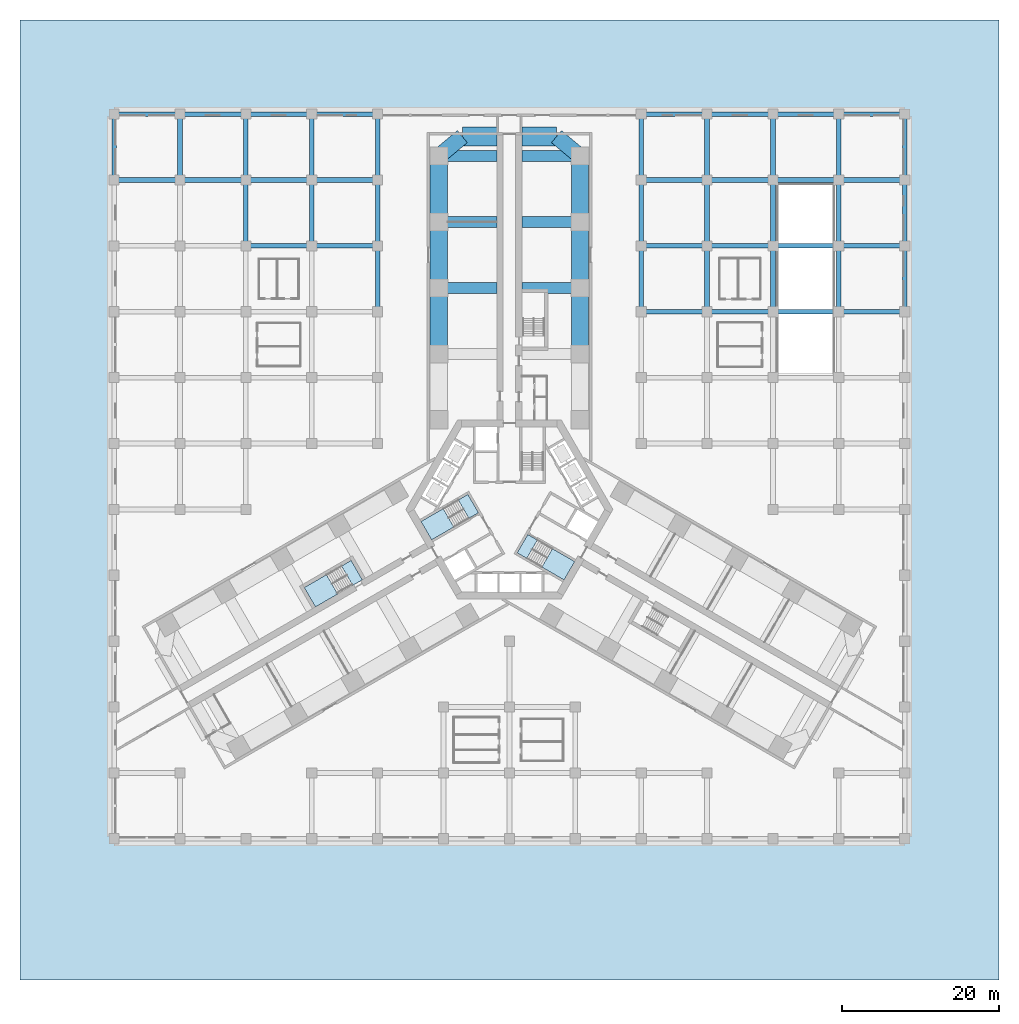
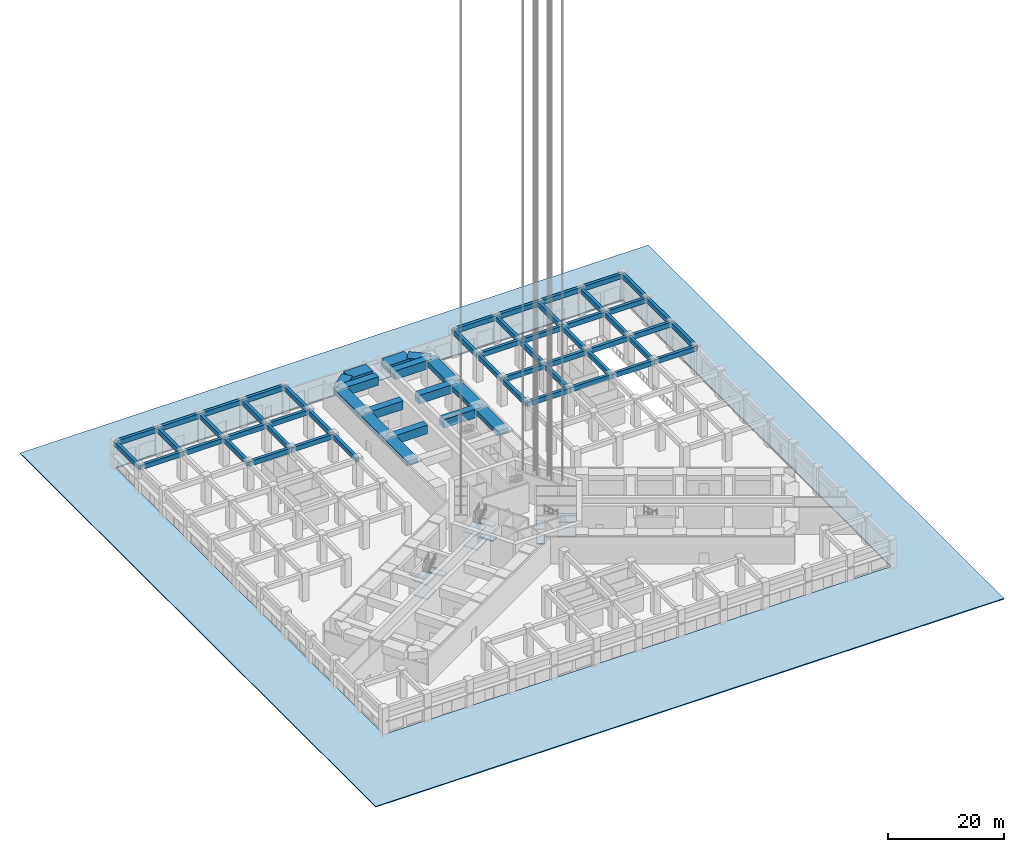
# One storey, part 3 of 33: 66 beams, 12 slabs, 3 elements without a shape of their own.
"""IFC4 building model written with IfcOpenShell, lengths in metres."""

import ifcopenshell
import ifcopenshell.guid

model = None  # the IFC model being written
_history = None  # IfcOwnerHistory: only IFC2X3 demands one
_inside = {}  # id of a spatial element -> (the spatial element, [elements in it])
_under = {}  # id of a project, library or spatial element -> (it, [spatial elements below it])
_declared = {}  # id of a project -> (the project, [libraries it declares])
_typed = {}  # id of a type object -> (the type object, [elements of that type])
_made_of = {}  # id of a material, layer set ... -> (it, [elements and type objects made of it])


def new_model(schema):
    """Start an empty IFC model of exactly this schema.

    Asked for "IFC4X3", IfcOpenShell would pick the latest addendum, in which some entities
    have other attributes; the version numbers below select the first issue.
    IFC2X3 requires an IfcOwnerHistory on every rooted entity: one is made here for all.
    """
    global model, _history
    if schema == "IFC4X3":
        model = ifcopenshell.file(schema_version=(4, 3, 0, 0))
    else:
        model = ifcopenshell.file(schema=schema)
    _inside.clear()
    _under.clear()
    _declared.clear()
    _typed.clear()
    _made_of.clear()
    _history = None
    if model.schema == "IFC2X3":
        org = make("IfcOrganization", Name="unknown")
        user = make(
            "IfcPersonAndOrganization",
            ThePerson=make("IfcPerson", FamilyName="unknown"),
            TheOrganization=org,
        )
        app = make(
            "IfcApplication",
            ApplicationDeveloper=org,
            Version="unknown",
            ApplicationFullName="unknown",
            ApplicationIdentifier="unknown",
        )
        _history = make(
            "IfcOwnerHistory",
            OwningUser=user,
            OwningApplication=app,
            ChangeAction="ADDED",
            CreationDate=0,
        )
    return model


def make(cls, **values):
    """One entity of the class cls with the attributes given. An attribute that is None is left unset."""
    return model.create_entity(
        cls, **{name: value for name, value in values.items() if value is not None}
    )


def rooted(cls, **values):
    """An entity with a GlobalId (a new one), such as an element, a storey or a relation."""
    return make(cls, GlobalId=ifcopenshell.guid.new(), OwnerHistory=_history, **values)


def si_unit(unit_type, name, prefix=None):
    """IfcSIUnit, for example si_unit("LENGTHUNIT", "METRE", prefix="MILLI")."""
    return make("IfcSIUnit", UnitType=unit_type, Prefix=prefix, Name=name)


def assignment(units):
    """IfcUnitAssignment: the units of a project."""
    return None if units is None else make("IfcUnitAssignment", Units=units)


def point(xyz):
    """IfcCartesianPoint."""
    return None if xyz is None else make("IfcCartesianPoint", Coordinates=xyz)


def direction(xyz):
    """IfcDirection."""
    return None if xyz is None else make("IfcDirection", DirectionRatios=xyz)


def frame(location, z_axis=None, x_axis=None):
    """IfcAxis2Placement3D, a coordinate frame: its origin and axes. An axis left out is left unset."""
    return make(
        "IfcAxis2Placement3D",
        Location=point(location),
        Axis=direction(z_axis),
        RefDirection=direction(x_axis),
    )


def frame_2d(location, x_axis=None):
    """IfcAxis2Placement2D, a coordinate frame in the plane: its origin and x axis."""
    return make(
        "IfcAxis2Placement2D", Location=point(location), RefDirection=direction(x_axis)
    )


def origin():
    """The frame at (0, 0, 0) with its axes left unset."""
    return frame((0.0, 0.0, 0.0))


def origin_2d():
    """The frame at (0, 0) in the plane with its x axis left unset."""
    return frame_2d((0.0, 0.0))


def place(relative_to, where):
    """IfcLocalPlacement: puts the frame where relative to a parent placement (None: the world)."""
    return make(
        "IfcLocalPlacement", PlacementRelTo=relative_to, RelativePlacement=where
    )


def context(
    kind, dimensions, precision=None, world=None, true_north=None, identifier=None
):
    """IfcGeometricRepresentationContext, for example the 3D "Model" context."""
    return make(
        "IfcGeometricRepresentationContext",
        ContextIdentifier=identifier,
        ContextType=kind,
        CoordinateSpaceDimension=dimensions,
        Precision=precision,
        WorldCoordinateSystem=world,
        TrueNorth=true_north,
    )


def subcontext(parent, identifier, kind, view, scale=None):
    """IfcGeometricRepresentationSubContext, for example "Body" below "Model"."""
    return make(
        "IfcGeometricRepresentationSubContext",
        ContextIdentifier=identifier,
        ContextType=kind,
        ParentContext=parent,
        TargetScale=scale,
        TargetView=view,
    )


def project(units=None, contexts=None):
    """IfcProject with its units and contexts."""
    return rooted(
        "IfcProject",
        Name="project",
        RepresentationContexts=contexts,
        UnitsInContext=assignment(units),
    )


def spatial(cls, under=None, at=None, **own):
    """A site, building, storey or space (cls), placed at a placement, below another one or the project."""
    s = rooted(cls, ObjectPlacement=at, **own)
    if under is not None:
        _under.setdefault(under.id(), (under, []))[1].append(s)
    return s


def polyline(points):
    """IfcPolyline through the points."""
    return make("IfcPolyline", Points=[point(p) for p in points])


def profile(cls, at=None, kind="AREA", **sizes):
    """A parametric profile (cls). Its sizes go by their IFC names, for example OverallWidth=200.0."""
    return make(cls, ProfileType=kind, Position=at, **sizes)


def rectangle(**sizes):
    """IfcRectangleProfileDef."""
    return profile("IfcRectangleProfileDef", **sizes)


def outline(outer, holes=None, kind="AREA"):
    """IfcArbitraryClosedProfileDef: a profile drawn as a closed curve; with holes, ...WithVoids."""
    if holes is None:
        return make("IfcArbitraryClosedProfileDef", ProfileType=kind, OuterCurve=outer)
    return make(
        "IfcArbitraryProfileDefWithVoids",
        ProfileType=kind,
        OuterCurve=outer,
        InnerCurves=holes,
    )


def extrude(swept, where, along, depth):
    """IfcExtrudedAreaSolid: the profile swept, set in the frame where, extruded along a direction by depth."""
    return make(
        "IfcExtrudedAreaSolid",
        SweptArea=swept,
        Position=where,
        ExtrudedDirection=direction(along),
        Depth=depth,
    )


def shape(context_of_items, identifier, shape_type, items):
    """IfcShapeRepresentation: the items that make up one representation, for example the "Body"."""
    return make(
        "IfcShapeRepresentation",
        ContextOfItems=context_of_items,
        RepresentationIdentifier=identifier,
        RepresentationType=shape_type,
        Items=items,
    )


def material(Name=None, Category=None):
    """IfcMaterial."""
    return make("IfcMaterial", Name=Name, Category=Category)


def layer(
    of_material, thickness, ventilated=None, Name=None, Category=None, Priority=None
):
    """IfcMaterialLayer: one layer of a wall or slab, of a material (None: an air gap)."""
    return make(
        "IfcMaterialLayer",
        Material=of_material,
        LayerThickness=thickness,
        IsVentilated=ventilated,
        Name=Name,
        Category=Category,
        Priority=Priority,
    )


def layer_set(layers, Name=None):
    """IfcMaterialLayerSet."""
    return make("IfcMaterialLayerSet", MaterialLayers=layers, LayerSetName=Name)


def material_profile(
    of_material, cross_section, Name=None, Category=None, Priority=None
):
    """IfcMaterialProfile: a cross section and its material."""
    return make(
        "IfcMaterialProfile",
        Name=Name,
        Material=of_material,
        Profile=cross_section,
        Priority=Priority,
        Category=Category,
    )


def profile_set(profiles, Name=None, composite=None):
    """IfcMaterialProfileSet."""
    return make(
        "IfcMaterialProfileSet",
        Name=Name,
        MaterialProfiles=profiles,
        CompositeProfile=composite,
    )


def made_of(thing, what):
    """Note that an element or type object is made of a material, layer set ...; save() writes the relation."""
    if what is not None:
        _made_of.setdefault(what.id(), (what, []))[1].append(thing)
    return thing


def type_object(cls, material=None, **own):
    """A type object (cls), such as IfcWallType, which elements share."""
    return made_of(rooted(cls, **own), material)


def element(
    cls,
    number,
    at=None,
    inside=None,
    cuts=None,
    type_object=None,
    material=None,
    context=None,
    identifier="Body",
    shape_type=None,
    held_by="IfcProductDefinitionShape",
    body=None,
    shapes=None,
    **own,
):
    """One element of the class cls, such as IfcWall. Its Tag is "e" and its number.

    at: its placement. inside: the storey or other place that contains it. cuts: it is an
    opening in that element (IfcRelVoidsElement). A single representation is given by context,
    identifier, shape_type and body (its items); several are given by shapes. held_by: the class
    of the entity that holds the representations. save() writes the other relations.
    """
    e = rooted(cls, Tag="e%d" % number, ObjectPlacement=at, **own)
    if body is not None:
        shapes = [shape(context, identifier, shape_type, body)]
    if shapes is not None:
        e.Representation = make(held_by, Representations=shapes)
    if inside is not None:
        _inside.setdefault(inside.id(), (inside, []))[1].append(e)
    if cuts is not None:
        rooted(
            "IfcRelVoidsElement", RelatingBuildingElement=cuts, RelatedOpeningElement=e
        )
    if type_object is not None:
        _typed.setdefault(type_object.id(), (type_object, []))[1].append(e)
    return made_of(e, material)


def aggregate(whole, parts):
    """IfcRelAggregates: a whole, such as a stair, and the parts it consists of."""
    return rooted("IfcRelAggregates", RelatingObject=whole, RelatedObjects=parts)


def save(model, path):
    """Write the relations noted so far, then the file.

    IfcRelAggregates (storeys below a building ...), IfcRelContainedInSpatialStructure (elements
    in a storey), IfcRelDefinesByType, IfcRelAssociatesMaterial and IfcRelDeclares: one each for
    every whole, place, type object, material and project.
    """
    for whole, parts in _under.values():
        aggregate(whole, parts)
    for where, things in _inside.values():
        rooted(
            "IfcRelContainedInSpatialStructure",
            RelatedElements=things,
            RelatingStructure=where,
        )
    for kind, things in _typed.values():
        rooted("IfcRelDefinesByType", RelatedObjects=things, RelatingType=kind)
    for what, things in _made_of.values():
        rooted("IfcRelAssociatesMaterial", RelatedObjects=things, RelatingMaterial=what)
    for by, libraries in _declared.values():
        rooted("IfcRelDeclares", RelatingContext=by, RelatedDefinitions=libraries)
    model.write(path)


model = new_model("IFC4")

# Units and contexts
model_context = context("Model", 3, precision=1e-05, world=origin(), true_north=direction((0.0, 1.0)))
body_context = subcontext(model_context, "Body", "Model", "MODEL_VIEW")
ifc_project = project(units=[si_unit("LENGTHUNIT", "METRE"), si_unit("AREAUNIT", "SQUARE_METRE"), si_unit("VOLUMEUNIT", "CUBIC_METRE"), si_unit("PLANEANGLEUNIT", "RADIAN"), si_unit("MASSUNIT", "GRAM", prefix="KILO")], contexts=[model_context])

# Site, building, storey
site_placement = place(None, origin())
site = spatial("IfcSite", under=ifc_project, at=site_placement, CompositionType="ELEMENT")
building_placement = place(site_placement, origin())
building = spatial("IfcBuilding", under=site, at=building_placement, Name="Impinga Residences", CompositionType="ELEMENT")
storey_placement = place(building_placement, origin())
storey = spatial("IfcBuildingStorey", under=building, at=storey_placement, Name="L00", CompositionType="ELEMENT", Elevation=0.0)

# Beams
ifc_material_1 = material(Name="Concrete C60/75", Category="concrete")
ifc_material_profile_1 = material_profile(ifc_material_1, rectangle(XDim=2.0, YDim=1.60009765625, at=origin_2d()), Name="RC 2000x1600")
ifc_profile_set_1 = profile_set([ifc_material_profile_1], Name="Concrete C60/75")
beam_type_1 = type_object("IfcBeamType", Name="CB2 2000x1600 wing end cantilever beam", PredefinedType="BEAM", material=ifc_profile_set_1)
for number, where, z_axis, x_axis, name in (
    (1, (-9.0, 45.031494140625, 4.89990234375), (0.768221279597, 0.640184399664, 0.0), (-0.640184399664, 0.768221279597, 0.0), "Beam CB2 NB N5-NX level L01"),
    (2, (9.0, 45.031494140625, 4.89990234375), (-0.768221279597, 0.640184399664, 0.0), (-0.640184399664, -0.768221279597, 0.0), "Beam CB2 NE N5-NX level L01"),
):
    element("IfcBeam", number, at=place(storey_placement, frame(where, z_axis=z_axis, x_axis=x_axis)), inside=storey, type_object=beam_type_1, Name=name, PredefinedType="BEAM", context=body_context, shape_type="SweptSolid", body=[
        extrude(rectangle(XDim=2.0, YDim=1.60009765625, at=origin_2d()), origin(), (0.0, 0.0, 1.0), 3.905029296875),
    ])
ifc_material_profile_2 = material_profile(ifc_material_1, rectangle(XDim=1.39990234375, YDim=1.800048828125, at=origin_2d()), Name="RC 1400x1800")
ifc_profile_set_2 = profile_set([ifc_material_profile_2], Name="Concrete C60/75")
beam_type_2 = type_object("IfcBeamType", Name="CG4 1400x1800 cross girder on a wing bay line under the podium floors", PredefinedType="BEAM", material=ifc_profile_set_2)
for number, where, z_axis, x_axis, name in (
    (3, (-1.60009765625, 28.2314453125, 4.800048828125), (-1.0, 0.0, 0.0), (0.0, -1.0, 0.0), "Beam CG4 N3 NC/NA level L01"),
    (4, (-1.60009765625, 36.631591796875, 4.800048828125), (-1.0, 0.0, 0.0), (0.0, -1.0, 0.0), "Beam CG4 N4 NC/NA level L01"),
    (5, (-1.60009765625, 45.031494140625, 4.800048828125), (-1.0, 0.0, 0.0), (0.0, -1.0, 0.0), "Beam CG4 N5 NC/NA level L01"),
    (6, (1.60009765625, 28.2314453125, 4.800048828125), (1.0, 0.0, 0.0), (0.0, 1.0, 0.0), "Beam CG4 N3 NC/NF level L01"),
    (7, (1.60009765625, 36.631591796875, 4.800048828125), (1.0, 0.0, 0.0), (0.0, 1.0, 0.0), "Beam CG4 N4 NC/NF level L01"),
    (8, (1.60009765625, 45.031494140625, 4.800048828125), (1.0, 0.0, 0.0), (0.0, 1.0, 0.0), "Beam CG4 N5 NC/NF level L01"),
):
    element("IfcBeam", number, at=place(storey_placement, frame(where, z_axis=z_axis, x_axis=x_axis)), inside=storey, type_object=beam_type_2, Name=name, PredefinedType="BEAM", context=body_context, shape_type="SweptSolid", body=[
        extrude(rectangle(XDim=1.39990234375, YDim=1.800048828125, at=origin_2d()), origin(), (0.0, 0.0, 1.0), 7.39990234375),
    ])
ifc_material_profile_3 = material_profile(ifc_material_1, rectangle(XDim=2.39990234375, YDim=1.60009765625, at=origin_2d()), Name="RC 2400x1600")
ifc_profile_set_3 = profile_set([ifc_material_profile_3], Name="Concrete C60/75")
beam_type_3 = type_object("IfcBeamType", Name="EB2 2400x1600 wing end beam", PredefinedType="BEAM", material=ifc_profile_set_3)
for number, where, z_axis, x_axis, name in (
    (9, (-6.0, 47.531494140625, 4.89990234375), (1.0, 0.0, 0.0), (0.0, 1.0, 0.0), "Beam EB2 NX4 level L01"),
    (10, (1.60009765625, 47.531494140625, 4.89990234375), (1.0, 0.0, 0.0), (0.0, 1.0, 0.0), "Beam EB2 NX4 level L01"),
):
    element("IfcBeam", number, at=place(storey_placement, frame(where, z_axis=z_axis, x_axis=x_axis)), inside=storey, type_object=beam_type_3, Name=name, PredefinedType="BEAM", context=body_context, shape_type="SweptSolid", body=[
        extrude(rectangle(XDim=2.39990234375, YDim=1.60009765625, at=origin_2d()), origin(), (0.0, 0.0, 1.0), 4.39990234375),
    ])
ifc_material_profile_4 = material_profile(ifc_material_1, rectangle(XDim=0.60009765625, YDim=1.0, at=origin_2d()), Name="RC 600x1000")
ifc_profile_set_4 = profile_set([ifc_material_profile_4], Name="Concrete C60/75")
beam_type_4 = type_object("IfcBeamType", Name="PB2 600x1000 podium beam", PredefinedType="BEAM", material=ifc_profile_set_4)
beam_1_placement = place(storey_placement, frame((16.800048828125, 25.199951171875, 5.199951171875), z_axis=(1.0, 0.0, 0.0), x_axis=(0.0, 1.0, 0.0)))
element("IfcBeam", 11, at=beam_1_placement, inside=storey, type_object=beam_type_4, Name="Beam PB2 J/9-10 level L01", PredefinedType="BEAM", context=body_context, shape_type="SweptSolid", body=[
    extrude(rectangle(XDim=0.60009765625, YDim=1.0, at=origin_2d()), origin(), (0.0, 0.0, 1.0), 8.39990234375),
])
beam_2_placement = place(storey_placement, frame((25.199951171875, 25.199951171875, 5.199951171875), z_axis=(1.0, 0.0, 0.0), x_axis=(0.0, 1.0, 0.0)))
element("IfcBeam", 12, at=beam_2_placement, inside=storey, type_object=beam_type_4, Name="Beam PB2 J/10-11 level L01", PredefinedType="BEAM", context=body_context, shape_type="SweptSolid", body=[
    extrude(rectangle(XDim=0.60009765625, YDim=1.0, at=origin_2d()), origin(), (0.0, 0.0, 1.0), 8.400146484375),
])
for number, where, z_axis, x_axis, name in (
    (13, (33.60009765625, 25.199951171875, 5.199951171875), (1.0, 0.0, 0.0), (0.0, 1.0, 0.0), "Beam PB2 J/11-12 level L01"),
    (14, (42.0, 25.199951171875, 5.199951171875), (1.0, 0.0, 0.0), (0.0, 1.0, 0.0), "Beam PB2 J/12-13 level L01"),
):
    element("IfcBeam", number, at=place(storey_placement, frame(where, z_axis=z_axis, x_axis=x_axis)), inside=storey, type_object=beam_type_4, Name=name, PredefinedType="BEAM", context=body_context, shape_type="SweptSolid", body=[
        extrude(rectangle(XDim=0.60009765625, YDim=1.0, at=origin_2d()), origin(), (0.0, 0.0, 1.0), 8.39990234375),
    ])
beam_3_placement = place(storey_placement, frame((-33.60009765625, 33.60009765625, 5.199951171875), z_axis=(1.0, 0.0, 0.0), x_axis=(0.0, 1.0, 0.0)))
element("IfcBeam", 15, at=beam_3_placement, inside=storey, type_object=beam_type_4, Name="Beam PB2 K/3-4 level L01", PredefinedType="BEAM", context=body_context, shape_type="SweptSolid", body=[
    extrude(rectangle(XDim=0.60009765625, YDim=1.0, at=origin_2d()), origin(), (0.0, 0.0, 1.0), 8.400146484375),
])
for number, where, z_axis, x_axis, name in (
    (16, (-25.199951171875, 33.60009765625, 5.199951171875), (1.0, 0.0, 0.0), (0.0, 1.0, 0.0), "Beam PB2 K/4-5 level L01"),
    (17, (16.800048828125, 33.60009765625, 5.199951171875), (1.0, 0.0, 0.0), (0.0, 1.0, 0.0), "Beam PB2 K/9-10 level L01"),
):
    element("IfcBeam", number, at=place(storey_placement, frame(where, z_axis=z_axis, x_axis=x_axis)), inside=storey, type_object=beam_type_4, Name=name, PredefinedType="BEAM", context=body_context, shape_type="SweptSolid", body=[
        extrude(rectangle(XDim=0.60009765625, YDim=1.0, at=origin_2d()), origin(), (0.0, 0.0, 1.0), 8.39990234375),
    ])
beam_4_placement = place(storey_placement, frame((25.199951171875, 33.60009765625, 5.199951171875), z_axis=(1.0, 0.0, 0.0), x_axis=(0.0, 1.0, 0.0)))
element("IfcBeam", 18, at=beam_4_placement, inside=storey, type_object=beam_type_4, Name="Beam PB2 K/10-11 level L01", PredefinedType="BEAM", context=body_context, shape_type="SweptSolid", body=[
    extrude(rectangle(XDim=0.60009765625, YDim=1.0, at=origin_2d()), origin(), (0.0, 0.0, 1.0), 8.400146484375),
])
for number, where, z_axis, x_axis, name in (
    (19, (33.60009765625, 33.60009765625, 5.199951171875), (1.0, 0.0, 0.0), (0.0, 1.0, 0.0), "Beam PB2 K/11-12 level L01"),
    (20, (42.0, 33.60009765625, 5.199951171875), (1.0, 0.0, 0.0), (0.0, 1.0, 0.0), "Beam PB2 K/12-13 level L01"),
    (21, (-50.39990234375, 42.0, 5.199951171875), (1.0, 0.0, 0.0), (0.0, 1.0, 0.0), "Beam PB2 L/1-2 level L01"),
    (22, (-42.0, 42.0, 5.199951171875), (1.0, 0.0, 0.0), (0.0, 1.0, 0.0), "Beam PB2 L/2-3 level L01"),
):
    element("IfcBeam", number, at=place(storey_placement, frame(where, z_axis=z_axis, x_axis=x_axis)), inside=storey, type_object=beam_type_4, Name=name, PredefinedType="BEAM", context=body_context, shape_type="SweptSolid", body=[
        extrude(rectangle(XDim=0.60009765625, YDim=1.0, at=origin_2d()), origin(), (0.0, 0.0, 1.0), 8.39990234375),
    ])
beam_5_placement = place(storey_placement, frame((-33.60009765625, 42.0, 5.199951171875), z_axis=(1.0, 0.0, 0.0), x_axis=(0.0, 1.0, 0.0)))
element("IfcBeam", 23, at=beam_5_placement, inside=storey, type_object=beam_type_4, Name="Beam PB2 L/3-4 level L01", PredefinedType="BEAM", context=body_context, shape_type="SweptSolid", body=[
    extrude(rectangle(XDim=0.60009765625, YDim=1.0, at=origin_2d()), origin(), (0.0, 0.0, 1.0), 8.400146484375),
])
for number, where, z_axis, x_axis, name in (
    (24, (-25.199951171875, 42.0, 5.199951171875), (1.0, 0.0, 0.0), (0.0, 1.0, 0.0), "Beam PB2 L/4-5 level L01"),
    (25, (16.800048828125, 42.0, 5.199951171875), (1.0, 0.0, 0.0), (0.0, 1.0, 0.0), "Beam PB2 L/9-10 level L01"),
):
    element("IfcBeam", number, at=place(storey_placement, frame(where, z_axis=z_axis, x_axis=x_axis)), inside=storey, type_object=beam_type_4, Name=name, PredefinedType="BEAM", context=body_context, shape_type="SweptSolid", body=[
        extrude(rectangle(XDim=0.60009765625, YDim=1.0, at=origin_2d()), origin(), (0.0, 0.0, 1.0), 8.39990234375),
    ])
beam_6_placement = place(storey_placement, frame((25.199951171875, 42.0, 5.199951171875), z_axis=(1.0, 0.0, 0.0), x_axis=(0.0, 1.0, 0.0)))
element("IfcBeam", 26, at=beam_6_placement, inside=storey, type_object=beam_type_4, Name="Beam PB2 L/10-11 level L01", PredefinedType="BEAM", context=body_context, shape_type="SweptSolid", body=[
    extrude(rectangle(XDim=0.60009765625, YDim=1.0, at=origin_2d()), origin(), (0.0, 0.0, 1.0), 8.400146484375),
])
for number, where, z_axis, x_axis, name in (
    (27, (33.60009765625, 42.0, 5.199951171875), (1.0, 0.0, 0.0), (0.0, 1.0, 0.0), "Beam PB2 L/11-12 level L01"),
    (28, (42.0, 42.0, 5.199951171875), (1.0, 0.0, 0.0), (0.0, 1.0, 0.0), "Beam PB2 L/12-13 level L01"),
    (29, (-50.39990234375, 50.39990234375, 5.199951171875), (1.0, 0.0, 0.0), (0.0, 1.0, 0.0), "Beam PB2 M/1-2 level L01"),
    (30, (-42.0, 50.39990234375, 5.199951171875), (1.0, 0.0, 0.0), (0.0, 1.0, 0.0), "Beam PB2 M/2-3 level L01"),
):
    element("IfcBeam", number, at=place(storey_placement, frame(where, z_axis=z_axis, x_axis=x_axis)), inside=storey, type_object=beam_type_4, Name=name, PredefinedType="BEAM", context=body_context, shape_type="SweptSolid", body=[
        extrude(rectangle(XDim=0.60009765625, YDim=1.0, at=origin_2d()), origin(), (0.0, 0.0, 1.0), 8.39990234375),
    ])
beam_7_placement = place(storey_placement, frame((-33.60009765625, 50.39990234375, 5.199951171875), z_axis=(1.0, 0.0, 0.0), x_axis=(0.0, 1.0, 0.0)))
element("IfcBeam", 31, at=beam_7_placement, inside=storey, type_object=beam_type_4, Name="Beam PB2 M/3-4 level L01", PredefinedType="BEAM", context=body_context, shape_type="SweptSolid", body=[
    extrude(rectangle(XDim=0.60009765625, YDim=1.0, at=origin_2d()), origin(), (0.0, 0.0, 1.0), 8.400146484375),
])
for number, where, z_axis, x_axis, name in (
    (32, (-25.199951171875, 50.39990234375, 5.199951171875), (1.0, 0.0, 0.0), (0.0, 1.0, 0.0), "Beam PB2 M/4-5 level L01"),
    (33, (16.800048828125, 50.39990234375, 5.199951171875), (1.0, 0.0, 0.0), (0.0, 1.0, 0.0), "Beam PB2 M/9-10 level L01"),
):
    element("IfcBeam", number, at=place(storey_placement, frame(where, z_axis=z_axis, x_axis=x_axis)), inside=storey, type_object=beam_type_4, Name=name, PredefinedType="BEAM", context=body_context, shape_type="SweptSolid", body=[
        extrude(rectangle(XDim=0.60009765625, YDim=1.0, at=origin_2d()), origin(), (0.0, 0.0, 1.0), 8.39990234375),
    ])
beam_8_placement = place(storey_placement, frame((25.199951171875, 50.39990234375, 5.199951171875), z_axis=(1.0, 0.0, 0.0), x_axis=(0.0, 1.0, 0.0)))
element("IfcBeam", 34, at=beam_8_placement, inside=storey, type_object=beam_type_4, Name="Beam PB2 M/10-11 level L01", PredefinedType="BEAM", context=body_context, shape_type="SweptSolid", body=[
    extrude(rectangle(XDim=0.60009765625, YDim=1.0, at=origin_2d()), origin(), (0.0, 0.0, 1.0), 8.400146484375),
])
for number, where, z_axis, x_axis, name in (
    (35, (33.60009765625, 50.39990234375, 5.199951171875), (1.0, 0.0, 0.0), (0.0, 1.0, 0.0), "Beam PB2 M/11-12 level L01"),
    (36, (42.0, 50.39990234375, 5.199951171875), (1.0, 0.0, 0.0), (0.0, 1.0, 0.0), "Beam PB2 M/12-13 level L01"),
    (37, (-50.39990234375, 42.0, 5.199951171875), (0.0, 1.0, 0.0), (-1.0, 0.0, 0.0), "Beam PB2 1/L-M level L01"),
    (38, (-42.0, 42.0, 5.199951171875), (0.0, 1.0, 0.0), (-1.0, 0.0, 0.0), "Beam PB2 2/L-M level L01"),
    (39, (-33.60009765625, 33.60009765625, 5.199951171875), (0.0, 1.0, 0.0), (-1.0, 0.0, 0.0), "Beam PB2 3/K-L level L01"),
    (40, (-33.60009765625, 42.0, 5.199951171875), (0.0, 1.0, 0.0), (-1.0, 0.0, 0.0), "Beam PB2 3/L-M level L01"),
    (41, (-25.199951171875, 33.60009765625, 5.199951171875), (0.0, 1.0, 0.0), (-1.0, 0.0, 0.0), "Beam PB2 4/K-L level L01"),
    (42, (-25.199951171875, 42.0, 5.199951171875), (0.0, 1.0, 0.0), (-1.0, 0.0, 0.0), "Beam PB2 4/L-M level L01"),
):
    element("IfcBeam", number, at=place(storey_placement, frame(where, z_axis=z_axis, x_axis=x_axis)), inside=storey, type_object=beam_type_4, Name=name, PredefinedType="BEAM", context=body_context, shape_type="SweptSolid", body=[
        extrude(rectangle(XDim=0.60009765625, YDim=1.0, at=origin_2d()), origin(), (0.0, 0.0, 1.0), 8.39990234375),
    ])
beam_9_placement = place(storey_placement, frame((-16.800048828125, 25.199951171875, 5.199951171875), z_axis=(0.0, 1.0, 0.0), x_axis=(-1.0, 0.0, 0.0)))
element("IfcBeam", 43, at=beam_9_placement, inside=storey, type_object=beam_type_4, Name="Beam PB2 5/J-K level L01", PredefinedType="BEAM", context=body_context, shape_type="SweptSolid", body=[
    extrude(rectangle(XDim=0.60009765625, YDim=1.0, at=origin_2d()), origin(), (0.0, 0.0, 1.0), 8.400146484375),
])
for number, where, z_axis, x_axis, name in (
    (44, (-16.800048828125, 33.60009765625, 5.199951171875), (0.0, 1.0, 0.0), (-1.0, 0.0, 0.0), "Beam PB2 5/K-L level L01"),
    (45, (-16.800048828125, 42.0, 5.199951171875), (0.0, 1.0, 0.0), (-1.0, 0.0, 0.0), "Beam PB2 5/L-M level L01"),
):
    element("IfcBeam", number, at=place(storey_placement, frame(where, z_axis=z_axis, x_axis=x_axis)), inside=storey, type_object=beam_type_4, Name=name, PredefinedType="BEAM", context=body_context, shape_type="SweptSolid", body=[
        extrude(rectangle(XDim=0.60009765625, YDim=1.0, at=origin_2d()), origin(), (0.0, 0.0, 1.0), 8.39990234375),
    ])
beam_10_placement = place(storey_placement, frame((16.800048828125, 25.199951171875, 5.199951171875), z_axis=(0.0, 1.0, 0.0), x_axis=(-1.0, 0.0, 0.0)))
element("IfcBeam", 46, at=beam_10_placement, inside=storey, type_object=beam_type_4, Name="Beam PB2 9/J-K level L01", PredefinedType="BEAM", context=body_context, shape_type="SweptSolid", body=[
    extrude(rectangle(XDim=0.60009765625, YDim=1.0, at=origin_2d()), origin(), (0.0, 0.0, 1.0), 8.400146484375),
])
for number, where, z_axis, x_axis, name in (
    (47, (16.800048828125, 33.60009765625, 5.199951171875), (0.0, 1.0, 0.0), (-1.0, 0.0, 0.0), "Beam PB2 9/K-L level L01"),
    (48, (16.800048828125, 42.0, 5.199951171875), (0.0, 1.0, 0.0), (-1.0, 0.0, 0.0), "Beam PB2 9/L-M level L01"),
):
    element("IfcBeam", number, at=place(storey_placement, frame(where, z_axis=z_axis, x_axis=x_axis)), inside=storey, type_object=beam_type_4, Name=name, PredefinedType="BEAM", context=body_context, shape_type="SweptSolid", body=[
        extrude(rectangle(XDim=0.60009765625, YDim=1.0, at=origin_2d()), origin(), (0.0, 0.0, 1.0), 8.39990234375),
    ])
beam_11_placement = place(storey_placement, frame((25.199951171875, 25.199951171875, 5.199951171875), z_axis=(0.0, 1.0, 0.0), x_axis=(-1.0, 0.0, 0.0)))
element("IfcBeam", 49, at=beam_11_placement, inside=storey, type_object=beam_type_4, Name="Beam PB2 10/J-K level L01", PredefinedType="BEAM", context=body_context, shape_type="SweptSolid", body=[
    extrude(rectangle(XDim=0.60009765625, YDim=1.0, at=origin_2d()), origin(), (0.0, 0.0, 1.0), 8.400146484375),
])
for number, where, z_axis, x_axis, name in (
    (50, (25.199951171875, 33.60009765625, 5.199951171875), (0.0, 1.0, 0.0), (-1.0, 0.0, 0.0), "Beam PB2 10/K-L level L01"),
    (51, (25.199951171875, 42.0, 5.199951171875), (0.0, 1.0, 0.0), (-1.0, 0.0, 0.0), "Beam PB2 10/L-M level L01"),
):
    element("IfcBeam", number, at=place(storey_placement, frame(where, z_axis=z_axis, x_axis=x_axis)), inside=storey, type_object=beam_type_4, Name=name, PredefinedType="BEAM", context=body_context, shape_type="SweptSolid", body=[
        extrude(rectangle(XDim=0.60009765625, YDim=1.0, at=origin_2d()), origin(), (0.0, 0.0, 1.0), 8.39990234375),
    ])
beam_12_placement = place(storey_placement, frame((33.60009765625, 25.199951171875, 5.199951171875), z_axis=(0.0, 1.0, 0.0), x_axis=(-1.0, 0.0, 0.0)))
element("IfcBeam", 52, at=beam_12_placement, inside=storey, type_object=beam_type_4, Name="Beam PB2 11/J-K level L01", PredefinedType="BEAM", context=body_context, shape_type="SweptSolid", body=[
    extrude(rectangle(XDim=0.60009765625, YDim=1.0, at=origin_2d()), origin(), (0.0, 0.0, 1.0), 8.400146484375),
])
for number, where, z_axis, x_axis, name in (
    (53, (33.60009765625, 33.60009765625, 5.199951171875), (0.0, 1.0, 0.0), (-1.0, 0.0, 0.0), "Beam PB2 11/K-L level L01"),
    (54, (33.60009765625, 42.0, 5.199951171875), (0.0, 1.0, 0.0), (-1.0, 0.0, 0.0), "Beam PB2 11/L-M level L01"),
):
    element("IfcBeam", number, at=place(storey_placement, frame(where, z_axis=z_axis, x_axis=x_axis)), inside=storey, type_object=beam_type_4, Name=name, PredefinedType="BEAM", context=body_context, shape_type="SweptSolid", body=[
        extrude(rectangle(XDim=0.60009765625, YDim=1.0, at=origin_2d()), origin(), (0.0, 0.0, 1.0), 8.39990234375),
    ])
beam_13_placement = place(storey_placement, frame((42.0, 25.199951171875, 5.199951171875), z_axis=(0.0, 1.0, 0.0), x_axis=(-1.0, 0.0, 0.0)))
element("IfcBeam", 55, at=beam_13_placement, inside=storey, type_object=beam_type_4, Name="Beam PB2 12/J-K level L01", PredefinedType="BEAM", context=body_context, shape_type="SweptSolid", body=[
    extrude(rectangle(XDim=0.60009765625, YDim=1.0, at=origin_2d()), origin(), (0.0, 0.0, 1.0), 8.400146484375),
])
for number, where, z_axis, x_axis, name in (
    (56, (42.0, 33.60009765625, 5.199951171875), (0.0, 1.0, 0.0), (-1.0, 0.0, 0.0), "Beam PB2 12/K-L level L01"),
    (57, (42.0, 42.0, 5.199951171875), (0.0, 1.0, 0.0), (-1.0, 0.0, 0.0), "Beam PB2 12/L-M level L01"),
):
    element("IfcBeam", number, at=place(storey_placement, frame(where, z_axis=z_axis, x_axis=x_axis)), inside=storey, type_object=beam_type_4, Name=name, PredefinedType="BEAM", context=body_context, shape_type="SweptSolid", body=[
        extrude(rectangle(XDim=0.60009765625, YDim=1.0, at=origin_2d()), origin(), (0.0, 0.0, 1.0), 8.39990234375),
    ])
beam_14_placement = place(storey_placement, frame((50.39990234375, 25.199951171875, 5.199951171875), z_axis=(0.0, 1.0, 0.0), x_axis=(-1.0, 0.0, 0.0)))
element("IfcBeam", 58, at=beam_14_placement, inside=storey, type_object=beam_type_4, Name="Beam PB2 13/J-K level L01", PredefinedType="BEAM", context=body_context, shape_type="SweptSolid", body=[
    extrude(rectangle(XDim=0.60009765625, YDim=1.0, at=origin_2d()), origin(), (0.0, 0.0, 1.0), 8.400146484375),
])
for number, where, z_axis, x_axis, name in (
    (59, (50.39990234375, 33.60009765625, 5.199951171875), (0.0, 1.0, 0.0), (-1.0, 0.0, 0.0), "Beam PB2 13/K-L level L01"),
    (60, (50.39990234375, 42.0, 5.199951171875), (0.0, 1.0, 0.0), (-1.0, 0.0, 0.0), "Beam PB2 13/L-M level L01"),
):
    element("IfcBeam", number, at=place(storey_placement, frame(where, z_axis=z_axis, x_axis=x_axis)), inside=storey, type_object=beam_type_4, Name=name, PredefinedType="BEAM", context=body_context, shape_type="SweptSolid", body=[
        extrude(rectangle(XDim=0.60009765625, YDim=1.0, at=origin_2d()), origin(), (0.0, 0.0, 1.0), 8.39990234375),
    ])
ifc_material_profile_5 = material_profile(ifc_material_1, rectangle(XDim=2.199951171875, YDim=1.0, at=origin_2d()), Name="RC 2200x1000")
ifc_profile_set_5 = profile_set([ifc_material_profile_5], Name="Concrete C60/75")
beam_type_5 = type_object("IfcBeamType", Name="PB3 2200x1000 podium band beam", PredefinedType="BEAM", material=ifc_profile_set_5)
beam_15_placement = place(storey_placement, frame((-9.0, 19.83154296875, 5.199951171875), z_axis=(0.0, 1.0, 0.0), x_axis=(-1.0, 0.0, 0.0)))
element("IfcBeam", 61, at=beam_15_placement, inside=storey, type_object=beam_type_5, Name="Beam PB3 NA N2-N3 level L01", PredefinedType="BEAM", context=body_context, shape_type="SweptSolid", body=[
    extrude(rectangle(XDim=2.199951171875, YDim=1.0, at=origin_2d()), origin(), (0.0, 0.0, 1.0), 8.39990234375),
])
beam_16_placement = place(storey_placement, frame((-9.0, 28.2314453125, 5.199951171875), z_axis=(0.0, 1.0, 0.0), x_axis=(-1.0, 0.0, 0.0)))
element("IfcBeam", 62, at=beam_16_placement, inside=storey, type_object=beam_type_5, Name="Beam PB3 NA N3-N4 level L01", PredefinedType="BEAM", context=body_context, shape_type="SweptSolid", body=[
    extrude(rectangle(XDim=2.199951171875, YDim=1.0, at=origin_2d()), origin(), (0.0, 0.0, 1.0), 8.400146484375),
])
for number, where, z_axis, x_axis, name in (
    (63, (-9.0, 36.631591796875, 5.199951171875), (0.0, 1.0, 0.0), (-1.0, 0.0, 0.0), "Beam PB3 NA N4-N5 level L01"),
    (64, (9.0, 19.83154296875, 5.199951171875), (0.0, 1.0, 0.0), (-1.0, 0.0, 0.0), "Beam PB3 NF N2-N3 level L01"),
):
    element("IfcBeam", number, at=place(storey_placement, frame(where, z_axis=z_axis, x_axis=x_axis)), inside=storey, type_object=beam_type_5, Name=name, PredefinedType="BEAM", context=body_context, shape_type="SweptSolid", body=[
        extrude(rectangle(XDim=2.199951171875, YDim=1.0, at=origin_2d()), origin(), (0.0, 0.0, 1.0), 8.39990234375),
    ])
beam_17_placement = place(storey_placement, frame((9.0, 28.2314453125, 5.199951171875), z_axis=(0.0, 1.0, 0.0), x_axis=(-1.0, 0.0, 0.0)))
element("IfcBeam", 65, at=beam_17_placement, inside=storey, type_object=beam_type_5, Name="Beam PB3 NF N3-N4 level L01", PredefinedType="BEAM", context=body_context, shape_type="SweptSolid", body=[
    extrude(rectangle(XDim=2.199951171875, YDim=1.0, at=origin_2d()), origin(), (0.0, 0.0, 1.0), 8.400146484375),
])
beam_18_placement = place(storey_placement, frame((9.0, 36.631591796875, 5.199951171875), z_axis=(0.0, 1.0, 0.0), x_axis=(-1.0, 0.0, 0.0)))
element("IfcBeam", 66, at=beam_18_placement, inside=storey, type_object=beam_type_5, Name="Beam PB3 NF N4-N5 level L01", PredefinedType="BEAM", context=body_context, shape_type="SweptSolid", body=[
    extrude(rectangle(XDim=2.199951171875, YDim=1.0, at=origin_2d()), origin(), (0.0, 0.0, 1.0), 8.39990234375),
])

# Stair, slabs
ifc_material_2 = material(Name="Concrete C40/50", Category="concrete")
stair_type_1 = type_object("IfcStairType", Name="STR core stair 6000 storey, 36 risers", PredefinedType="HALF_TURN_STAIR", material=ifc_material_2)
stair_1_placement = place(storey_placement, origin())
stair_1 = element("IfcStair", 67, at=stair_1_placement, inside=storey, type_object=stair_type_1, Name="Stair ST2 L00", PredefinedType="HALF_TURN_STAIR")
ifc_layer_1 = layer(ifc_material_2, 0.199951171875)
ifc_layer_set_1 = layer_set([ifc_layer_1], Name="Concrete C40/50")
slab_type_1 = type_object("IfcSlabType", Name="LS1 stair landing 200", PredefinedType="LANDING", material=ifc_layer_set_1)
slab_1_placement = place(storey_placement, frame((0.0, 0.0, -0.199951171875)))
slab_1 = element("IfcSlab", 68, at=slab_1_placement, type_object=slab_type_1, Name="ST2 landing 1", PredefinedType="LANDING", context=body_context, shape_type="SweptSolid", body=[
    extrude(outline(polyline([(-3.943603515625, -0.429443359375), (-5.293701171875, 1.908935546875), (-6.5146484375, 1.203857421875), (-5.164794921875, -1.13427734375), (-3.943603515625, -0.429443359375)])), origin(), (0.0, 0.0, 1.0), 0.199951171875),
])
slab_2_placement = place(storey_placement, frame((0.0, 0.0, 1.300048828125)))
slab_2 = element("IfcSlab", 69, at=slab_2_placement, type_object=slab_type_1, Name="ST2 landing 2", PredefinedType="LANDING", context=body_context, shape_type="SweptSolid", body=[
    extrude(outline(polyline([(-7.08740234375, -2.244384765625), (-8.437255859375, 0.093994140625), (-11.2705078125, -1.541748046875), (-9.920654296875, -3.880126953125), (-7.08740234375, -2.244384765625)])), origin(), (0.0, 0.0, 1.0), 0.199951171875),
])
slab_3_placement = place(storey_placement, frame((0.0, 0.0, 2.800048828125)))
slab_3 = element("IfcSlab", 70, at=slab_3_placement, type_object=slab_type_1, Name="ST2 landing 3", PredefinedType="LANDING", context=body_context, shape_type="SweptSolid", body=[
    extrude(outline(polyline([(-3.943603515625, -0.429443359375), (-5.293701171875, 1.908935546875), (-6.5146484375, 1.203857421875), (-5.164794921875, -1.13427734375), (-3.943603515625, -0.429443359375)])), origin(), (0.0, 0.0, 1.0), 0.199951171875),
])
slab_4_placement = place(storey_placement, frame((0.0, 0.0, 4.300048828125)))
slab_4 = element("IfcSlab", 71, at=slab_4_placement, type_object=slab_type_1, Name="ST2 landing 4", PredefinedType="LANDING", context=body_context, shape_type="SweptSolid", body=[
    extrude(outline(polyline([(-7.08740234375, -2.244384765625), (-8.437255859375, 0.093994140625), (-11.2705078125, -1.541748046875), (-9.920654296875, -3.880126953125), (-7.08740234375, -2.244384765625)])), origin(), (0.0, 0.0, 1.0), 0.199951171875),
])
aggregate(stair_1, [slab_1, slab_2, slab_3, slab_4])

stair_2_placement = place(storey_placement, origin())
stair_2 = element("IfcStair", 72, at=stair_2_placement, inside=storey, type_object=stair_type_1, Name="Stair ST3 L00", PredefinedType="HALF_TURN_STAIR")
slab_5_placement = place(storey_placement, frame((0.0, 0.0, -0.199951171875)))
slab_5 = element("IfcSlab", 73, at=slab_5_placement, type_object=slab_type_1, Name="ST3 landing 1", PredefinedType="LANDING", context=body_context, shape_type="SweptSolid", body=[
    extrude(outline(polyline([(2.34375, -3.20068359375), (0.99365234375, -5.538818359375), (2.21484375, -6.243896484375), (3.564697265625, -3.90576171875), (2.34375, -3.20068359375)])), origin(), (0.0, 0.0, 1.0), 0.199951171875),
])
slab_6_placement = place(storey_placement, frame((0.0, 0.0, 1.300048828125)))
slab_6 = element("IfcSlab", 74, at=slab_6_placement, type_object=slab_type_1, Name="ST3 landing 2", PredefinedType="LANDING", context=body_context, shape_type="SweptSolid", body=[
    extrude(outline(polyline([(5.4873046875, -5.015625), (4.137451171875, -7.35400390625), (6.970458984375, -8.98974609375), (8.320556640625, -6.6513671875), (5.4873046875, -5.015625)])), origin(), (0.0, 0.0, 1.0), 0.199951171875),
])
slab_7_placement = place(storey_placement, frame((0.0, 0.0, 2.800048828125)))
slab_7 = element("IfcSlab", 75, at=slab_7_placement, type_object=slab_type_1, Name="ST3 landing 3", PredefinedType="LANDING", context=body_context, shape_type="SweptSolid", body=[
    extrude(outline(polyline([(2.34375, -3.20068359375), (0.99365234375, -5.538818359375), (2.21484375, -6.243896484375), (3.564697265625, -3.90576171875), (2.34375, -3.20068359375)])), origin(), (0.0, 0.0, 1.0), 0.199951171875),
])
slab_8_placement = place(storey_placement, frame((0.0, 0.0, 4.300048828125)))
slab_8 = element("IfcSlab", 76, at=slab_8_placement, type_object=slab_type_1, Name="ST3 landing 4", PredefinedType="LANDING", context=body_context, shape_type="SweptSolid", body=[
    extrude(outline(polyline([(5.4873046875, -5.015625), (4.137451171875, -7.35400390625), (6.970458984375, -8.98974609375), (8.320556640625, -6.6513671875), (5.4873046875, -5.015625)])), origin(), (0.0, 0.0, 1.0), 0.199951171875),
])
aggregate(stair_2, [slab_5, slab_6, slab_7, slab_8])

stair_type_2 = type_object("IfcStairType", Name="STR wing stair 6000 storey, 36 risers", PredefinedType="HALF_TURN_STAIR", material=ifc_material_2)
stair_3_placement = place(storey_placement, origin())
stair_3 = element("IfcStair", 77, at=stair_3_placement, inside=storey, type_object=stair_type_2, Name="Stair WS2 L00", PredefinedType="HALF_TURN_STAIR")
slab_9_placement = place(storey_placement, frame((0.0, 0.0, 1.300048828125)))
slab_9 = element("IfcSlab", 78, at=slab_9_placement, type_object=slab_type_1, Name="WS2 landing 1", PredefinedType="LANDING", context=body_context, shape_type="SweptSolid", body=[
    extrude(outline(polyline([(-21.897705078125, -10.795166015625), (-23.32275390625, -8.326904296875), (-26.154541015625, -9.9619140625), (-24.7294921875, -12.43017578125), (-21.897705078125, -10.795166015625)])), origin(), (0.0, 0.0, 1.0), 0.199951171875),
])
slab_10_placement = place(storey_placement, frame((0.0, 0.0, 2.800048828125)))
slab_10 = element("IfcSlab", 79, at=slab_10_placement, type_object=slab_type_1, Name="WS2 landing 2", PredefinedType="LANDING", context=body_context, shape_type="SweptSolid", body=[
    extrude(outline(polyline([(-18.754150390625, -8.980224609375), (-20.178955078125, -6.511962890625), (-21.400146484375, -7.217041015625), (-19.97509765625, -9.68505859375), (-18.754150390625, -8.980224609375)])), origin(), (0.0, 0.0, 1.0), 0.199951171875),
])
slab_11_placement = place(storey_placement, frame((0.0, 0.0, 4.300048828125)))
slab_11 = element("IfcSlab", 80, at=slab_11_placement, type_object=slab_type_1, Name="WS2 landing 3", PredefinedType="LANDING", context=body_context, shape_type="SweptSolid", body=[
    extrude(outline(polyline([(-21.897705078125, -10.795166015625), (-23.32275390625, -8.326904296875), (-26.154541015625, -9.9619140625), (-24.7294921875, -12.43017578125), (-21.897705078125, -10.795166015625)])), origin(), (0.0, 0.0, 1.0), 0.199951171875),
])
aggregate(stair_3, [slab_9, slab_10, slab_11])

# Slab
ifc_material_3 = material(Name="Precast concrete C40/50", Category="concrete")
ifc_layer_2 = layer(ifc_material_3, 0.199951171875)
ifc_layer_set_2 = layer_set([ifc_layer_2], Name="Precast concrete C40/50")
slab_type_2 = type_object("IfcSlabType", Name="PV1 external paving on grade 200", PredefinedType="USERDEFINED", material=ifc_layer_set_2)
slab_12_placement = place(storey_placement, frame((0.0, 0.0, -0.199951171875)))
element("IfcSlab", 81, at=slab_12_placement, inside=storey, type_object=slab_type_2, Name="Paving PV1 forecourt L00", ObjectType="PAVING", PredefinedType="USERDEFINED", context=body_context, shape_type="SweptSolid", body=[
    extrude(outline(polyline([(-62.39990234375, -60.0), (-62.39990234375, 62.39990234375), (62.39990234375, 62.39990234375), (62.39990234375, -60.0), (-62.39990234375, -60.0)]), holes=[polyline([(50.39990234375, -42.0), (50.39990234375, 50.39990234375), (-50.39990234375, 50.39990234375), (-50.39990234375, -42.0), (50.39990234375, -42.0)])]), origin(), (0.0, 0.0, 1.0), 0.199951171875),
])

save(model, "model.ifc")
